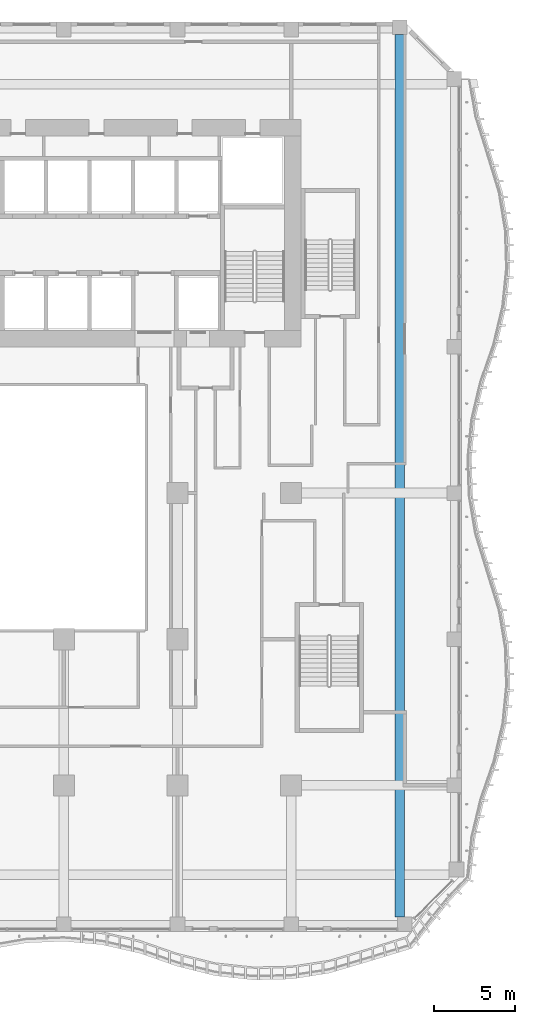
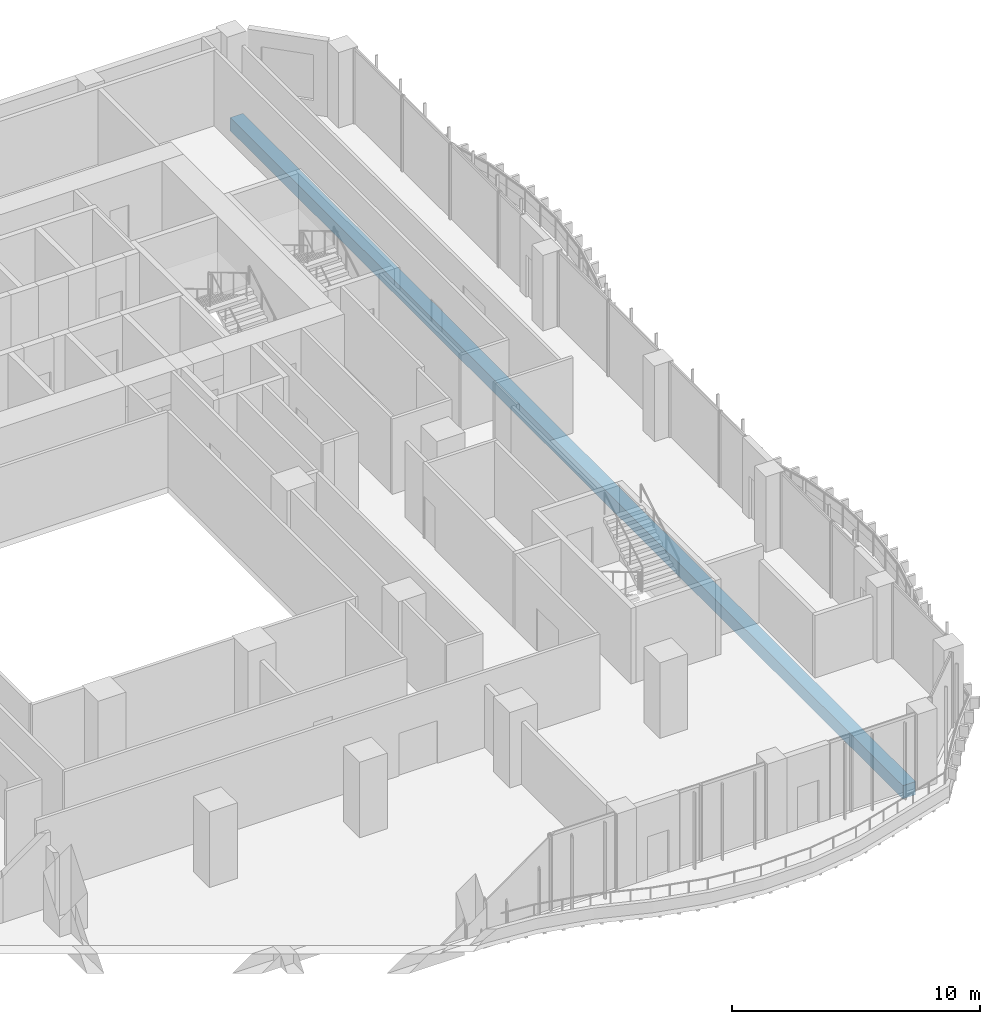
# One storey, part 5 of 25: 1 beam.
"""IFC4 building model written with IfcOpenShell, lengths in metres."""

from ifc_helpers import new_model, si_unit, direction, frame, origin, origin_2d, place, context, subcontext, project, spatial, rectangle, extrude, source, transform, mapped, material, material_profile, profile_set, type_object, element, save


model = new_model("IFC4")

# Units and contexts
model_context = context("Model", 3, precision=1e-05, world=origin(), true_north=direction((0.0, 1.0)))
body_context = subcontext(model_context, "Body", "Model", "MODEL_VIEW")
ifc_project = project(units=[si_unit("LENGTHUNIT", "METRE"), si_unit("AREAUNIT", "SQUARE_METRE"), si_unit("VOLUMEUNIT", "CUBIC_METRE"), si_unit("PLANEANGLEUNIT", "RADIAN"), si_unit("MASSUNIT", "GRAM", prefix="KILO")], contexts=[model_context])

# Site, building, storey
site_placement = place(None, origin())
site = spatial("IfcSite", under=ifc_project, at=site_placement, CompositionType="ELEMENT")
building_placement = place(site_placement, origin())
building = spatial("IfcBuilding", under=site, at=building_placement, Name="Kilnfold Tower and Market Hall", CompositionType="ELEMENT")
storey_placement = place(building_placement, frame((0.0, 0.0, 39.0)))
storey = spatial("IfcBuildingStorey", under=building, at=storey_placement, Name="L08", CompositionType="ELEMENT", Elevation=39.0)

# Beam
ifc_material = material(Name="Concrete C45", Category="concrete")
ifc_material_profile = material_profile(ifc_material, rectangle(XDim=0.60009765625, YDim=0.64990234375, at=origin_2d()), Name="RC 600x650")
ifc_profile_set = profile_set([ifc_material_profile], Name="Concrete C45")
beam_type = type_object("IfcBeamType", Name="BEAM 600X650 C45", PredefinedType="BEAM", material=ifc_profile_set)
shared_shape = source(origin(), body_context, "Body", "SweptSolid", [
    extrude(rectangle(XDim=0.60009765625, YDim=0.64990234375, at=origin_2d()), origin(), (0.0, 0.0, 1.0), 54.331787109375),
])
beam_placement = place(storey_placement, frame((24.179931640625, -27.10009765625, -0.60498046875), z_axis=(0.0, 1.0, 0.0), x_axis=(-1.0, 0.0, 0.0)))
element("IfcBeam", 1, at=beam_placement, inside=storey, type_object=beam_type, Name="Beam BB650-B1.57", PredefinedType="BEAM", context=body_context, shape_type="MappedRepresentation", body=[
    mapped(shared_shape, transform((0.0, 0.0, 0.0))),
])

save(model, "model.ifc")
